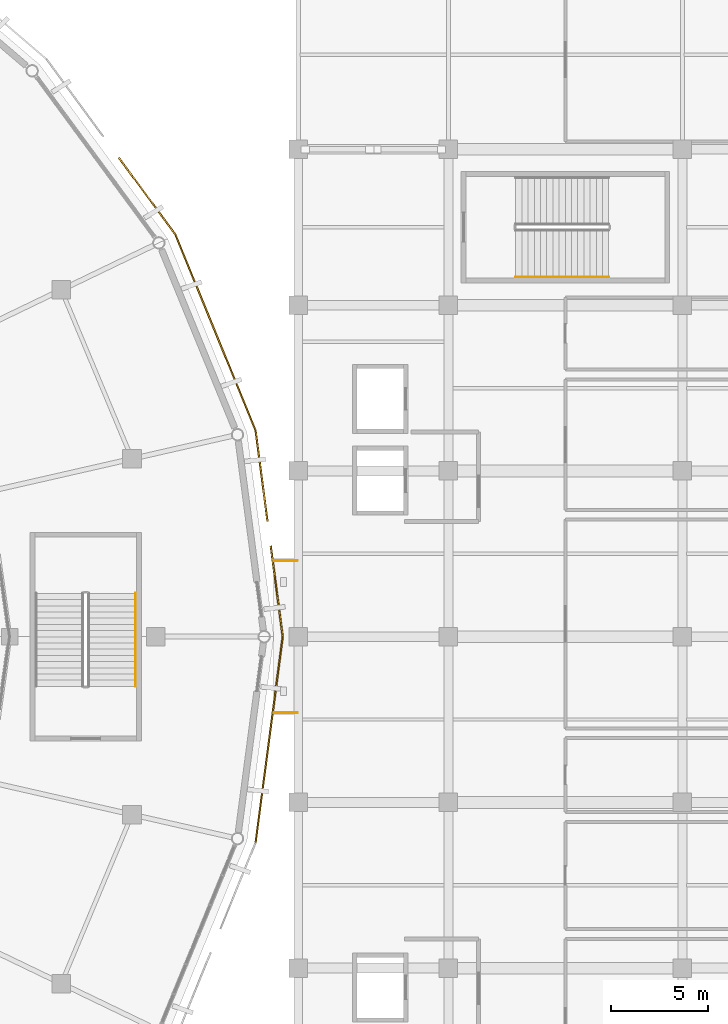
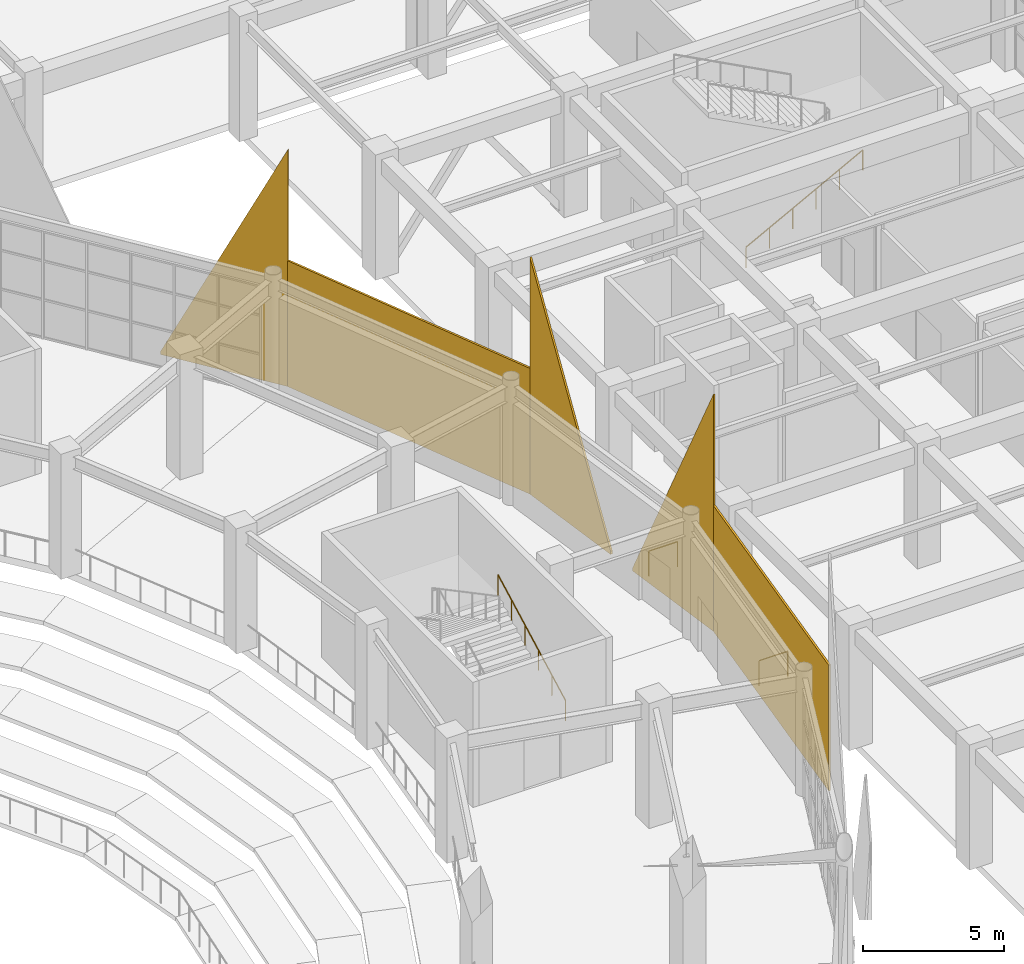
# One storey, part 115 of 120: 5 coverings, 4 railings.
"""IFC4 building model written with IfcOpenShell, lengths in metres."""

from ifc_helpers import new_model, si_unit, direction, frame, frame_2d, origin, origin_2d, place, context, subcontext, project, spatial, polyline, rectangle, circle, outline, extrude, material, layer, layer_set, type_object, element, save


model = new_model("IFC4")

# Units and contexts
model_context = context("Model", 3, precision=1e-05, world=origin(), true_north=direction((0.0, 1.0)))
body_context = subcontext(model_context, "Body", "Model", "MODEL_VIEW")
ifc_project = project(units=[si_unit("LENGTHUNIT", "METRE"), si_unit("AREAUNIT", "SQUARE_METRE"), si_unit("VOLUMEUNIT", "CUBIC_METRE"), si_unit("PLANEANGLEUNIT", "RADIAN"), si_unit("MASSUNIT", "GRAM", prefix="KILO")], contexts=[model_context])

# Site, building, storey
site_placement = place(None, origin())
site = spatial("IfcSite", under=ifc_project, at=site_placement, CompositionType="ELEMENT")
building_placement = place(site_placement, origin())
building = spatial("IfcBuilding", under=site, at=building_placement, Name="Cuetzalor Civic Arena", CompositionType="ELEMENT")
storey_placement = place(building_placement, frame((0.0, 0.0, 6.0)))
storey = spatial("IfcBuildingStorey", under=building, at=storey_placement, Name="L01", CompositionType="ELEMENT", Elevation=6.0)

# Railings
ifc_material_1 = material(Name="Reseda-green architectural Steel S355 balustrade", Category="steel")
railing_type_1 = type_object("IfcRailingType", Name="InteriorVoidBalustrade_1100", PredefinedType="BALUSTRADE", material=ifc_material_1)
for number, where, name in (
    (1, (55.080078125, -3.89990234375, 0.0), "Seismic Bridge Balustrade V4E L01 S"),
    (2, (55.080078125, 3.89990234375, 0.0), "Seismic Bridge Balustrade V4E L01 N"),
):
    element("IfcRailing", number, at=place(storey_placement, frame(where)), inside=storey, type_object=railing_type_1, Name=name, PredefinedType="BALUSTRADE", context=body_context, shape_type="SweptSolid", body=[
        extrude(circle(Radius=0.02392578125, at=origin_2d()), frame((0.0, 0.0, 1.076171875), z_axis=(1.0, 0.0, 0.0), x_axis=(0.0, 1.0, 0.0)), (0.0, 0.0, 1.0), 1.169921875),
        extrude(circle(Radius=0.02099609375, at=origin_2d()), origin(), (0.0, 0.0, 1.0), 1.052001953125),
        extrude(circle(Radius=0.02099609375, at=origin_2d()), frame((1.169921875, 0.0, 0.0)), (0.0, 0.0, 1.0), 1.052001953125),
    ])
ifc_material_2 = material(Name="Galvanised steel S355", Category="steel")
railing_type_2 = type_object("IfcRailingType", Name="StairPitchHandrail_900", PredefinedType="HANDRAIL", material=ifc_material_2)
railing_1_placement = place(storey_placement, frame((47.949951171875, -2.550048828125, 0.168701171875)))
element("IfcRailing", 3, at=railing_1_placement, inside=storey, type_object=railing_type_2, Name="L01 ST-01 stair handrail 1", PredefinedType="HANDRAIL", context=body_context, shape_type="SweptSolid", body=[
    extrude(circle(Radius=0.02392578125, at=origin_2d()), frame((0.0, 0.0, 0.8759765625), z_axis=(0.0, 0.883332211103, 0.468747485143), x_axis=(-1.0, 0.0, 0.0)), (0.0, 0.0, 1.0), 5.400146484375),
    extrude(circle(Radius=0.02099609375, at=origin_2d()), origin(), (0.0, 0.0, 1.0), 0.851806640625),
    extrude(circle(Radius=0.02099609375, at=origin_2d()), frame((0.0, 0.9541015625, 0.50634765625)), (0.0, 0.0, 1.0), 0.851806640625),
    extrude(circle(Radius=0.02099609375, at=origin_2d()), frame((0.0, 1.907958984375, 1.012451171875)), (0.0, 0.0, 1.0), 0.851806640625),
    extrude(circle(Radius=0.02099609375, at=origin_2d()), frame((0.0, 2.862060546875, 1.518798828125)), (0.0, 0.0, 1.0), 0.851806640625),
    extrude(circle(Radius=0.02099609375, at=origin_2d()), frame((0.0, 3.81591796875, 2.02490234375)), (0.0, 0.0, 1.0), 0.851806640625),
    extrude(circle(Radius=0.02099609375, at=origin_2d()), frame((0.0, 4.77001953125, 2.53125)), (0.0, 0.0, 1.0), 0.851806640625),
])
railing_2_placement = place(storey_placement, frame((67.449951171875, 18.449951171875, 0.168701171875)))
element("IfcRailing", 4, at=railing_2_placement, inside=storey, type_object=railing_type_2, Name="L01 ST-22 stair handrail 1", PredefinedType="HANDRAIL", context=body_context, shape_type="SweptSolid", body=[
    extrude(circle(Radius=0.02392578125, at=origin_2d()), frame((0.0, 0.0, 0.8759765625), z_axis=(0.883332211103, 0.0, 0.468747485143), x_axis=(0.0, 1.0, 0.0)), (0.0, 0.0, 1.0), 5.400146484375),
    extrude(circle(Radius=0.02099609375, at=origin_2d()), origin(), (0.0, 0.0, 1.0), 0.851806640625),
    extrude(circle(Radius=0.02099609375, at=origin_2d()), frame((0.9541015625, 0.0, 0.50634765625)), (0.0, 0.0, 1.0), 0.851806640625),
    extrude(circle(Radius=0.02099609375, at=origin_2d()), frame((1.907958984375, 0.0, 1.012451171875)), (0.0, 0.0, 1.0), 0.851806640625),
    extrude(circle(Radius=0.02099609375, at=origin_2d()), frame((2.862060546875, 0.0, 1.518798828125)), (0.0, 0.0, 1.0), 0.851806640625),
    extrude(circle(Radius=0.02099609375, at=origin_2d()), frame((3.81591796875, 0.0, 2.02490234375)), (0.0, 0.0, 1.0), 0.851806640625),
    extrude(circle(Radius=0.02099609375, at=origin_2d()), frame((4.77001953125, 0.0, 2.53125)), (0.0, 0.0, 1.0), 0.851806640625),
])

# Coverings
ifc_material_3 = material(Name="Terracotta-red perforated anodised aluminium panel", Category="masonry")
ifc_layer = layer(ifc_material_3, 0.080078125)
ifc_layer_set = layer_set([ifc_layer], Name="Terracotta-red perforated anodised aluminium panel")
covering_type = type_object("IfcCoveringType", Name="TerracottaPerforatedScreenPanel", PredefinedType="CLADDING", material=ifc_layer_set)
covering_1_placement = place(storey_placement, frame((54.1083984375, 10.569580078125, -0.14990234375), z_axis=(0.0, 0.0, 1.0), x_axis=(0.130533946759, -0.991443840438, 0.0)))
element("IfcCovering", 5, at=covering_1_placement, inside=storey, type_object=covering_type, Name="Terracotta Perforated Triangle Cheek Left S01", PredefinedType="CLADDING", context=body_context, shape_type="SweptSolid", body=[
    extrude(outline(polyline([(0.0, 0.0), (4.690673828125, 0.0), (4.69091796875, 0.139892578125), (0.0, 10.22998046875), (0.0, 0.0)])), frame((0.0, 0.0400390625, 0.0), z_axis=(0.0, -1.0, 0.0), x_axis=(1.0, 0.0, 0.0)), (0.0, 0.0, 1.0), 0.080078125),
])
covering_2_placement = place(storey_placement, frame((54.8876953125, 4.650634765625, -0.14990234375), z_axis=(0.0, 0.0, 1.0), x_axis=(0.130533946759, -0.991443840438, 0.0)))
element("IfcCovering", 6, at=covering_2_placement, inside=storey, type_object=covering_type, Name="Terracotta Perforated Triangle Cheek Right S01", PredefinedType="CLADDING", context=body_context, shape_type="SweptSolid", body=[
    extrude(outline(polyline([(0.0, 0.0), (4.690673828125, 0.0), (4.69091796875, 10.22998046875), (0.0, 0.139892578125), (0.0, 0.0)])), frame((0.0, 0.0400390625, 0.0), z_axis=(0.0, -1.0, 0.0), x_axis=(1.0, 0.0, 0.0)), (0.0, 0.0, 1.0), 0.080078125),
])
covering_3_placement = place(storey_placement, frame((50.00390625, 20.609619140625, -0.14990234375), z_axis=(0.0, 0.0, 1.0), x_axis=(0.378411973316, -0.925637282336, 0.0)))
element("IfcCovering", 7, at=covering_3_placement, inside=storey, type_object=covering_type, Name="Terracotta Perforated Drum Screen L01-S02", PredefinedType="CLADDING", context=body_context, shape_type="SweptSolid", body=[
    extrude(rectangle(XDim=10.8466796875, YDim=0.080078125, at=frame_2d((5.42333984375, 0.0))), origin(), (0.0, 0.0, 1.0), 5.429931640625),
])
covering_4_placement = place(storey_placement, frame((47.094482421875, 24.572265625, -0.14990234375), z_axis=(0.0, 0.0, 1.0), x_axis=(0.59182430591, -0.806066989111, 0.0)))
element("IfcCovering", 8, at=covering_4_placement, inside=storey, type_object=covering_type, Name="Terracotta Perforated Triangle Cheek Right S03", PredefinedType="CLADDING", context=body_context, shape_type="SweptSolid", body=[
    extrude(outline(polyline([(0.0, 0.0), (4.916015625, 0.0), (4.916015625, 10.22998046875), (0.0, 0.139892578125), (0.0, 0.0)])), frame((0.0, 0.0400390625, 0.0), z_axis=(0.0, -1.0, 0.0), x_axis=(1.0, 0.0, 0.0)), (0.0, 0.0, 1.0), 0.080078125),
])
covering_5_placement = place(storey_placement, frame((55.5, 0.0, -0.14990234375), z_axis=(0.0, 0.0, 1.0), x_axis=(-0.130534485624, -0.991443769491, 0.0)))
element("IfcCovering", 9, at=covering_5_placement, inside=storey, type_object=covering_type, Name="Terracotta Perforated Drum Screen L01-S28", PredefinedType="CLADDING", context=body_context, shape_type="SweptSolid", body=[
    extrude(rectangle(XDim=10.660888671875, YDim=0.080078125, at=frame_2d((5.33056640625, 0.0))), origin(), (0.0, 0.0, 1.0), 5.429931640625),
])

save(model, "model.ifc")
